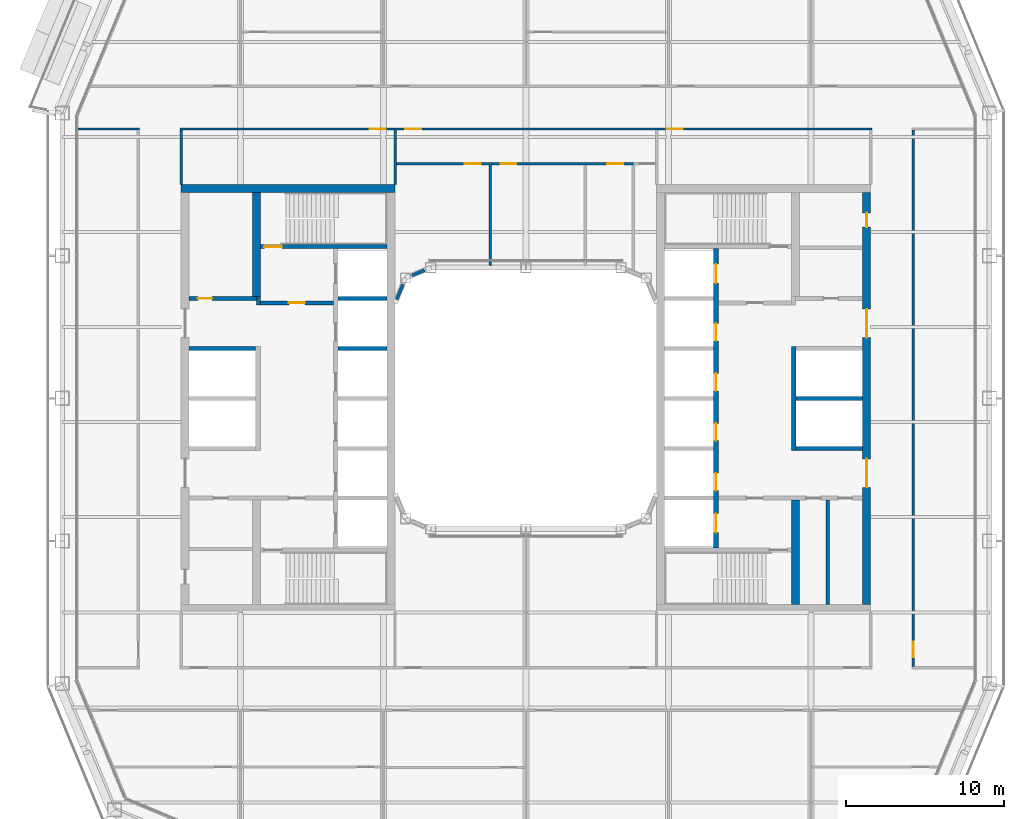
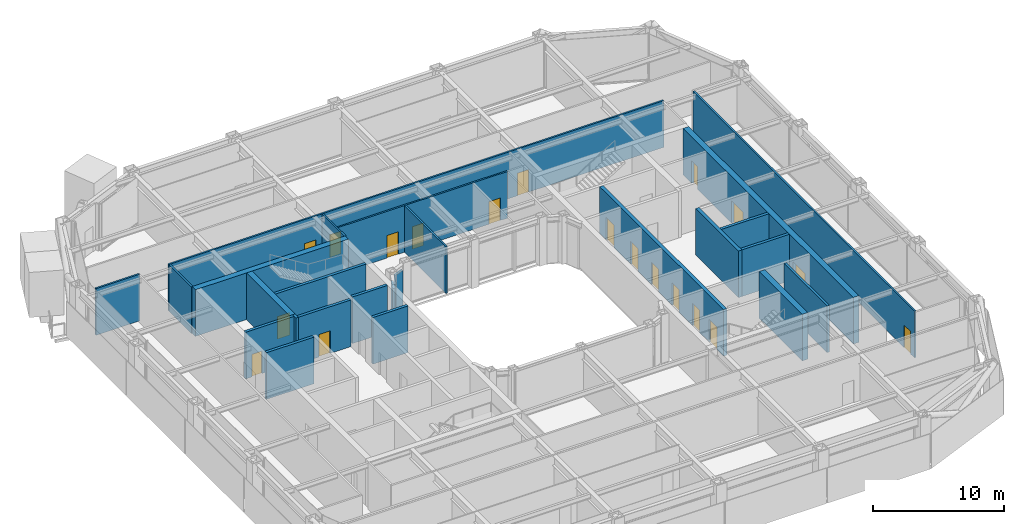
# One storey, part 13 of 23: 25 walls, 19 doors, 19 openings.
"""IFC4 building model written with IfcOpenShell, lengths in metres."""

from ifc_helpers import new_model, si_unit, direction, frame, frame_2d, origin, place, context, subcontext, project, spatial, rectangle, extrude, material, layer, layer_set, type_object, element, fill, save


model = new_model("IFC4")

# Units and contexts
model_context = context("Model", 3, precision=1e-05, world=origin(), true_north=direction((0.0, 1.0)))
body_context = subcontext(model_context, "Body", "Model", "MODEL_VIEW")
ifc_project = project(units=[si_unit("LENGTHUNIT", "METRE"), si_unit("AREAUNIT", "SQUARE_METRE"), si_unit("VOLUMEUNIT", "CUBIC_METRE"), si_unit("PLANEANGLEUNIT", "RADIAN"), si_unit("MASSUNIT", "GRAM", prefix="KILO")], contexts=[model_context])

# Site, building, storey
site_placement = place(None, origin())
site = spatial("IfcSite", under=ifc_project, at=site_placement, CompositionType="ELEMENT")
building_placement = place(site_placement, origin())
building = spatial("IfcBuilding", under=site, at=building_placement, Name="Siwar Civic Tower", CompositionType="ELEMENT")
storey_placement = place(building_placement, frame((0.0, 0.0, 154.199951171875)))
storey = spatial("IfcBuildingStorey", under=building, at=storey_placement, Name="L33", CompositionType="ELEMENT", Elevation=154.199951171875)

# Wall
ifc_material_1 = material(Name="Gypsum board on steel studs", Category="steel")
ifc_layer_1 = layer(ifc_material_1, 0.199951171875)
ifc_layer_set_1 = layer_set([ifc_layer_1], Name="Gypsum board on steel studs")
wall_type_1 = type_object("IfcWallType", Name="CORE-PARTITION-200", PredefinedType="PARTITIONING", material=ifc_layer_set_1)
wall_1_placement = place(storey_placement, frame((19.050048828125, -13.0, 0.0), z_axis=(0.0, 0.0, 1.0), x_axis=(0.0, 1.0, 0.0)))
element("IfcWall", 1, at=wall_1_placement, inside=storey, type_object=wall_type_1, Name="Core partition E", PredefinedType="PARTITIONING", context=body_context, shape_type="SweptSolid", body=[
    extrude(rectangle(XDim=6.574951171875, YDim=0.199951171875, at=frame_2d((3.28759765625, 0.0))), origin(), (0.0, 0.0, 1.0), 4.35009765625),
])

# Wall, opening, door
ifc_material_2 = material(Name="Concrete C60/75", Category="concrete")
ifc_layer_2 = layer(ifc_material_2, 0.25)
ifc_layer_set_2 = layer_set([ifc_layer_2], Name="Concrete C60/75")
wall_type_2 = type_object("IfcWallType", Name="CORE-WALL-RC250", PredefinedType="SHEAR", material=ifc_layer_set_2)
wall_2_placement = place(storey_placement, frame((-12.14990234375, 6.02490234375, 0.0), z_axis=(0.0, 0.0, 1.0), x_axis=(-1.0, 0.0, 0.0)))
wall_2 = element("IfcWall", 2, at=wall_2_placement, inside=storey, type_object=wall_type_2, Name="Core wall W", PredefinedType="SHEAR", context=body_context, shape_type="SweptSolid", body=[
    extrude(rectangle(XDim=4.60009765625, YDim=0.25, at=frame_2d((2.300048828125, 0.0))), origin(), (0.0, 0.0, 1.0), 4.35009765625),
])
opening_1_placement = place(wall_2_placement, frame((1.800048828125, 0.0, 0.0)))
opening_1 = element("IfcOpeningElement", 3, at=opening_1_placement, cuts=wall_2, Name="Opening L33-CW01", PredefinedType="OPENING", context=body_context, shape_type="SweptSolid", body=[
    extrude(rectangle(XDim=1.0, YDim=2.10009765625, at=frame_2d((0.5, 1.050048828125))), frame((0.0, 0.135009765625, 0.0), z_axis=(0.0, -1.0, 0.0), x_axis=(1.0, 0.0, 0.0)), (0.0, 0.0, 1.0), 0.27001953125),
])
ifc_material_3 = material(Name="Steel door leaf", Category="steel")
door_type_1 = type_object("IfcDoorType", Name="CORE-DOOR-FD30S", OperationType="SINGLE_SWING_LEFT", PredefinedType="DOOR", material=ifc_material_3)
door_1_placement = place(opening_1_placement, origin())
door_1 = element("IfcDoor", 4, at=door_1_placement, inside=storey, type_object=door_type_1, Name="Firefighting lobby door L33-CW01", OperationType="SINGLE_SWING_LEFT", OverallHeight=2.10009765625, OverallWidth=1.0, PredefinedType="DOOR", context=body_context, shape_type="SweptSolid", body=[
    extrude(rectangle(XDim=1.0, YDim=2.10009765625, at=frame_2d((0.5, 1.050048828125))), frame((0.0, 0.02490234375, 0.0), z_axis=(0.0, -1.0, 0.0), x_axis=(1.0, 0.0, 0.0)), (0.0, 0.0, 1.0), 0.050048828125),
])
fill(opening_1, door_1)

# Wall
wall_3_placement = place(storey_placement, frame((-16.875, 5.89990234375, 0.0), z_axis=(0.0, 0.0, 1.0), x_axis=(0.0, 1.0, 0.0)))
element("IfcWall", 5, at=wall_3_placement, inside=storey, type_object=wall_type_2, Name="Core wall W", PredefinedType="SHEAR", context=body_context, shape_type="SweptSolid", body=[
    extrude(rectangle(XDim=0.525146484375, YDim=0.25, at=frame_2d((0.2626953125, 0.0))), origin(), (0.0, 0.0, 1.0), 4.35009765625),
])

# Wall, opening, door
wall_4_placement = place(storey_placement, frame((-17.0, 6.300048828125, 0.0), z_axis=(0.0, 0.0, 1.0), x_axis=(-1.0, 0.0, 0.0)))
wall_4 = element("IfcWall", 6, at=wall_4_placement, inside=storey, type_object=wall_type_2, Name="Core wall W", PredefinedType="SHEAR", context=body_context, shape_type="SweptSolid", body=[
    extrude(rectangle(XDim=4.25, YDim=0.25, at=frame_2d((2.125, 0.0))), origin(), (0.0, 0.0, 1.0), 4.35009765625),
])
opening_2_placement = place(wall_4_placement, frame((2.800048828125, 0.0, 0.0)))
opening_2 = element("IfcOpeningElement", 7, at=opening_2_placement, cuts=wall_4, Name="Opening L33-CW13", PredefinedType="OPENING", context=body_context, shape_type="SweptSolid", body=[
    extrude(rectangle(XDim=0.89990234375, YDim=2.10009765625, at=frame_2d((0.449951171875, 1.050048828125))), frame((0.0, 0.135009765625, 0.0), z_axis=(0.0, -1.0, 0.0), x_axis=(1.0, 0.0, 0.0)), (0.0, 0.0, 1.0), 0.27001953125),
])
ifc_material_4 = material(Name="Steel door leaf", Category="steel")
door_type_2 = type_object("IfcDoorType", Name="CORE-DOOR-ROOM", OperationType="SINGLE_SWING_LEFT", PredefinedType="DOOR", material=ifc_material_4)
door_2_placement = place(opening_2_placement, origin())
door_2 = element("IfcDoor", 8, at=door_2_placement, inside=storey, type_object=door_type_2, Name="Core room door L33-CW13", OperationType="SINGLE_SWING_RIGHT", OverallHeight=2.10009765625, OverallWidth=0.89990234375, PredefinedType="DOOR", context=body_context, shape_type="SweptSolid", body=[
    extrude(rectangle(XDim=0.89990234375, YDim=2.10009765625, at=frame_2d((0.449951171875, 1.050048828125))), frame((0.0, 0.02490234375, 0.0), z_axis=(0.0, -1.0, 0.0), x_axis=(1.0, 0.0, 0.0)), (0.0, 0.0, 1.0), 0.050048828125),
])
fill(opening_2, door_2)

# Walls
wall_5_placement = place(storey_placement, frame((-17.050048828125, 3.14990234375, 0.0), z_axis=(0.0, 0.0, 1.0), x_axis=(-1.0, 0.0, 0.0)))
element("IfcWall", 9, at=wall_5_placement, inside=storey, type_object=wall_type_2, Name="Core wall W", PredefinedType="SHEAR", context=body_context, shape_type="SweptSolid", body=[
    extrude(rectangle(XDim=4.199951171875, YDim=0.25, at=frame_2d((2.10009765625, 0.0))), origin(), (0.0, 0.0, 1.0), 4.35009765625),
])
for number, where, z_axis, x_axis, name in (
    (10, (-8.75, 3.14990234375, 0.0), (0.0, 0.0, 1.0), (-1.0, 0.0, 0.0), "Core wall W"),
    (11, (-8.75, 6.300048828125, 0.0), (0.0, 0.0, 1.0), (-1.0, 0.0, 0.0), "Core wall W"),
):
    element("IfcWall", number, at=place(storey_placement, frame(where, z_axis=z_axis, x_axis=x_axis)), inside=storey, type_object=wall_type_2, Name=name, PredefinedType="SHEAR", context=body_context, shape_type="SweptSolid", body=[
        extrude(rectangle(XDim=3.10009765625, YDim=0.25, at=frame_2d((1.550048828125, 0.0))), origin(), (0.0, 0.0, 1.0), 4.35009765625),
    ])

# Wall, opening, door
wall_6_placement = place(storey_placement, frame((-8.75, 9.574951171875, 0.0), z_axis=(0.0, 0.0, 1.0), x_axis=(-1.0, 0.0, 0.0)))
wall_6 = element("IfcWall", 12, at=wall_6_placement, inside=storey, type_object=wall_type_2, Name="Core wall W", PredefinedType="SHEAR", context=body_context, shape_type="SweptSolid", body=[
    extrude(rectangle(XDim=8.0, YDim=0.25, at=frame_2d((4.0, 0.0))), origin(), (0.0, 0.0, 1.0), 4.35009765625),
])
opening_3_placement = place(wall_6_placement, frame((6.64990234375, 0.0, 0.0)))
opening_3 = element("IfcOpeningElement", 13, at=opening_3_placement, cuts=wall_6, Name="Opening L33-CW03", PredefinedType="OPENING", context=body_context, shape_type="SweptSolid", body=[
    extrude(rectangle(XDim=1.10009765625, YDim=2.10009765625, at=frame_2d((0.550048828125, 1.050048828125))), frame((0.0, 0.135009765625, 0.0), z_axis=(0.0, -1.0, 0.0), x_axis=(1.0, 0.0, 0.0)), (0.0, 0.0, 1.0), 0.27001953125),
])
ifc_material_5 = material(Name="Steel door leaf", Category="steel")
door_type_3 = type_object("IfcDoorType", Name="CORE-DOOR-FD60S", OperationType="SINGLE_SWING_LEFT", PredefinedType="DOOR", material=ifc_material_5)
door_3_placement = place(opening_3_placement, origin())
door_3 = element("IfcDoor", 14, at=door_3_placement, inside=storey, type_object=door_type_3, Name="Stair door L33-CW03", OperationType="SINGLE_SWING_RIGHT", OverallHeight=2.10009765625, OverallWidth=1.10009765625, PredefinedType="DOOR", context=body_context, shape_type="SweptSolid", body=[
    extrude(rectangle(XDim=1.10009765625, YDim=2.10009765625, at=frame_2d((0.550048828125, 1.050048828125))), frame((0.0, 0.02490234375, 0.0), z_axis=(0.0, -1.0, 0.0), x_axis=(1.0, 0.0, 0.0)), (0.0, 0.0, 1.0), 0.050048828125),
])
fill(opening_3, door_3)

# Walls
for number, where, z_axis, x_axis, name in (
    (15, (17.050048828125, 0.0, 0.0), (0.0, 0.0, 1.0), (1.0, 0.0, 0.0), "Core wall E"),
    (16, (17.050048828125, -3.14990234375, 0.0), (0.0, 0.0, 1.0), (1.0, 0.0, 0.0), "Core wall E"),
):
    element("IfcWall", number, at=place(storey_placement, frame(where, z_axis=z_axis, x_axis=x_axis)), inside=storey, type_object=wall_type_2, Name=name, PredefinedType="SHEAR", context=body_context, shape_type="SweptSolid", body=[
        extrude(rectangle(XDim=4.199951171875, YDim=0.25, at=frame_2d((2.10009765625, 0.0))), origin(), (0.0, 0.0, 1.0), 4.35009765625),
    ])

# Wall, openings, doors
ifc_material_6 = material(Name="Concrete C60/75", Category="concrete")
ifc_layer_3 = layer(ifc_material_6, 0.300048828125)
ifc_layer_set_3 = layer_set([ifc_layer_3], Name="Concrete C60/75")
wall_type_3 = type_object("IfcWallType", Name="CORE-WALL-RC300", PredefinedType="SHEAR", material=ifc_layer_set_3)
wall_7_placement = place(storey_placement, frame((12.0, -9.449951171875, 0.0), z_axis=(0.0, 0.0, 1.0), x_axis=(0.0, 1.0, 0.0)))
wall_7 = element("IfcWall", 17, at=wall_7_placement, inside=storey, type_object=wall_type_3, Name="Core wall E", PredefinedType="SHEAR", context=body_context, shape_type="SweptSolid", body=[
    extrude(rectangle(XDim=18.89990234375, YDim=0.300048828125, at=frame_2d((9.449951171875, 0.0))), origin(), (0.0, 0.0, 1.0), 4.35009765625),
])
opening_4_placement = place(wall_7_placement, frame((3.625, 0.0, 0.0)))
opening_4 = element("IfcOpeningElement", 18, at=opening_4_placement, cuts=wall_7, Name="Opening L33-CE07", PredefinedType="OPENING", context=body_context, shape_type="SweptSolid", body=[
    extrude(rectangle(XDim=1.10009765625, YDim=2.10009765625, at=frame_2d((0.550048828125, 1.050048828125))), frame((0.0, 0.16015625, 0.0), z_axis=(0.0, -1.0, 0.0), x_axis=(1.0, 0.0, 0.0)), (0.0, 0.0, 1.0), 0.320068359375),
])
opening_5_placement = place(wall_7_placement, frame((6.77490234375, 0.0, 0.0)))
opening_5 = element("IfcOpeningElement", 19, at=opening_5_placement, cuts=wall_7, Name="Opening L33-CE08", PredefinedType="OPENING", context=body_context, shape_type="SweptSolid", body=[
    extrude(rectangle(XDim=1.10009765625, YDim=2.10009765625, at=frame_2d((0.550048828125, 1.050048828125))), frame((0.0, 0.16015625, 0.0), z_axis=(0.0, -1.0, 0.0), x_axis=(1.0, 0.0, 0.0)), (0.0, 0.0, 1.0), 0.320068359375),
])
opening_6_placement = place(wall_7_placement, frame((9.925048828125, 0.0, 0.0)))
opening_6 = element("IfcOpeningElement", 20, at=opening_6_placement, cuts=wall_7, Name="Opening L33-CE09", PredefinedType="OPENING", context=body_context, shape_type="SweptSolid", body=[
    extrude(rectangle(XDim=1.10009765625, YDim=2.10009765625, at=frame_2d((0.550048828125, 1.050048828125))), frame((0.0, 0.16015625, 0.0), z_axis=(0.0, -1.0, 0.0), x_axis=(1.0, 0.0, 0.0)), (0.0, 0.0, 1.0), 0.320068359375),
])
opening_7_placement = place(wall_7_placement, frame((13.074951171875, 0.0, 0.0)))
opening_7 = element("IfcOpeningElement", 21, at=opening_7_placement, cuts=wall_7, Name="Opening L33-CE10", PredefinedType="OPENING", context=body_context, shape_type="SweptSolid", body=[
    extrude(rectangle(XDim=1.10009765625, YDim=2.10009765625, at=frame_2d((0.550048828125, 1.050048828125))), frame((0.0, 0.16015625, 0.0), z_axis=(0.0, -1.0, 0.0), x_axis=(1.0, 0.0, 0.0)), (0.0, 0.0, 1.0), 0.320068359375),
])
opening_8_placement = place(wall_7_placement, frame((16.72509765625, 0.0, 0.0)))
opening_8 = element("IfcOpeningElement", 22, at=opening_8_placement, cuts=wall_7, Name="Opening L33-CE11", PredefinedType="OPENING", context=body_context, shape_type="SweptSolid", body=[
    extrude(rectangle(XDim=1.199951171875, YDim=2.10009765625, at=frame_2d((0.60009765625, 1.050048828125))), frame((0.0, 0.16015625, 0.0), z_axis=(0.0, -1.0, 0.0), x_axis=(1.0, 0.0, 0.0)), (0.0, 0.0, 1.0), 0.320068359375),
])
opening_9_placement = place(wall_7_placement, frame((0.97509765625, 0.0, 0.0)))
opening_9 = element("IfcOpeningElement", 23, at=opening_9_placement, cuts=wall_7, Name="Opening L33-CE12", PredefinedType="OPENING", context=body_context, shape_type="SweptSolid", body=[
    extrude(rectangle(XDim=1.199951171875, YDim=2.10009765625, at=frame_2d((0.60009765625, 1.050048828125))), frame((0.0, 0.16015625, 0.0), z_axis=(0.0, -1.0, 0.0), x_axis=(1.0, 0.0, 0.0)), (0.0, 0.0, 1.0), 0.320068359375),
])
ifc_material_7 = material(Name="Steel door leaf", Category="steel")
door_type_4 = type_object("IfcDoorType", Name="CORE-DOOR-LD", OperationType="DOUBLE_DOOR_SLIDING", PredefinedType="DOOR", material=ifc_material_7)
door_4_placement = place(opening_4_placement, origin())
door_4 = element("IfcDoor", 24, at=door_4_placement, inside=storey, type_object=door_type_4, Name="Landing door LR5 L33-CE07", OperationType="DOUBLE_DOOR_SLIDING", OverallHeight=2.10009765625, OverallWidth=1.10009765625, PredefinedType="DOOR", context=body_context, shape_type="SweptSolid", body=[
    extrude(rectangle(XDim=1.10009765625, YDim=2.10009765625, at=frame_2d((0.550048828125, 1.050048828125))), frame((0.0, 0.02490234375, 0.0), z_axis=(0.0, -1.0, 0.0), x_axis=(1.0, 0.0, 0.0)), (0.0, 0.0, 1.0), 0.050048828125),
])
fill(opening_4, door_4)
door_5_placement = place(opening_5_placement, origin())
door_5 = element("IfcDoor", 25, at=door_5_placement, inside=storey, type_object=door_type_4, Name="Landing door LR6 L33-CE08", OperationType="DOUBLE_DOOR_SLIDING", OverallHeight=2.10009765625, OverallWidth=1.10009765625, PredefinedType="DOOR", context=body_context, shape_type="SweptSolid", body=[
    extrude(rectangle(XDim=1.10009765625, YDim=2.10009765625, at=frame_2d((0.550048828125, 1.050048828125))), frame((0.0, 0.02490234375, 0.0), z_axis=(0.0, -1.0, 0.0), x_axis=(1.0, 0.0, 0.0)), (0.0, 0.0, 1.0), 0.050048828125),
])
fill(opening_5, door_5)
door_6_placement = place(opening_6_placement, origin())
door_6 = element("IfcDoor", 26, at=door_6_placement, inside=storey, type_object=door_type_4, Name="Landing door LR7 L33-CE09", OperationType="DOUBLE_DOOR_SLIDING", OverallHeight=2.10009765625, OverallWidth=1.10009765625, PredefinedType="DOOR", context=body_context, shape_type="SweptSolid", body=[
    extrude(rectangle(XDim=1.10009765625, YDim=2.10009765625, at=frame_2d((0.550048828125, 1.050048828125))), frame((0.0, 0.02490234375, 0.0), z_axis=(0.0, -1.0, 0.0), x_axis=(1.0, 0.0, 0.0)), (0.0, 0.0, 1.0), 0.050048828125),
])
fill(opening_6, door_6)
door_7_placement = place(opening_7_placement, origin())
door_7 = element("IfcDoor", 27, at=door_7_placement, inside=storey, type_object=door_type_4, Name="Landing door LR8 L33-CE10", OperationType="DOUBLE_DOOR_SLIDING", OverallHeight=2.10009765625, OverallWidth=1.10009765625, PredefinedType="DOOR", context=body_context, shape_type="SweptSolid", body=[
    extrude(rectangle(XDim=1.10009765625, YDim=2.10009765625, at=frame_2d((0.550048828125, 1.050048828125))), frame((0.0, 0.02490234375, 0.0), z_axis=(0.0, -1.0, 0.0), x_axis=(1.0, 0.0, 0.0)), (0.0, 0.0, 1.0), 0.050048828125),
])
fill(opening_7, door_7)
ifc_material_8 = material(Name="Steel door leaf", Category="steel")
door_type_5 = type_object("IfcDoorType", Name="CORE-DOOR-LDW", OperationType="DOUBLE_DOOR_SLIDING", PredefinedType="DOOR", material=ifc_material_8)
door_8_placement = place(opening_8_placement, origin())
door_8 = element("IfcDoor", 28, at=door_8_placement, inside=storey, type_object=door_type_5, Name="Landing door FF2 L33-CE11", OperationType="DOUBLE_DOOR_SLIDING", OverallHeight=2.10009765625, OverallWidth=1.199951171875, PredefinedType="DOOR", context=body_context, shape_type="SweptSolid", body=[
    extrude(rectangle(XDim=1.199951171875, YDim=2.10009765625, at=frame_2d((0.60009765625, 1.050048828125))), frame((0.0, 0.02490234375, 0.0), z_axis=(0.0, -1.0, 0.0), x_axis=(1.0, 0.0, 0.0)), (0.0, 0.0, 1.0), 0.050048828125),
])
fill(opening_8, door_8)
door_9_placement = place(opening_9_placement, origin())
door_9 = element("IfcDoor", 29, at=door_9_placement, inside=storey, type_object=door_type_5, Name="Landing door SV2 L33-CE12", OperationType="DOUBLE_DOOR_SLIDING", OverallHeight=2.10009765625, OverallWidth=1.199951171875, PredefinedType="DOOR", context=body_context, shape_type="SweptSolid", body=[
    extrude(rectangle(XDim=1.199951171875, YDim=2.10009765625, at=frame_2d((0.60009765625, 1.050048828125))), frame((0.0, 0.02490234375, 0.0), z_axis=(0.0, -1.0, 0.0), x_axis=(1.0, 0.0, 0.0)), (0.0, 0.0, 1.0), 0.050048828125),
])
fill(opening_9, door_9)

# Walls
wall_8_placement = place(storey_placement, frame((16.89990234375, -3.27490234375, 0.0), z_axis=(0.0, 0.0, 1.0), x_axis=(0.0, 1.0, 0.0)))
element("IfcWall", 30, at=wall_8_placement, inside=storey, type_object=wall_type_3, Name="Core wall E", PredefinedType="SHEAR", context=body_context, shape_type="SweptSolid", body=[
    extrude(rectangle(XDim=6.5498046875, YDim=0.300048828125, at=frame_2d((3.27490234375, 0.0))), origin(), (0.0, 0.0, 1.0), 4.35009765625),
])
ifc_material_9 = material(Name="Concrete C60/75", Category="concrete")
ifc_layer_4 = layer(ifc_material_9, 0.5)
ifc_layer_set_4 = layer_set([ifc_layer_4], Name="Concrete C60/75")
wall_type_4 = type_object("IfcWallType", Name="CORE-WALL-RC500", PredefinedType="SHEAR", material=ifc_layer_set_4)
wall_9_placement = place(storey_placement, frame((-17.0, 6.425048828125, 0.0), z_axis=(0.0, 0.0, 1.0), x_axis=(0.0, 1.0, 0.0)))
element("IfcWall", 31, at=wall_9_placement, inside=storey, type_object=wall_type_4, Name="Core wall W", PredefinedType="SHEAR", context=body_context, shape_type="SweptSolid", body=[
    extrude(rectangle(XDim=6.574951171875, YDim=0.5, at=frame_2d((3.28759765625, 0.0))), origin(), (0.0, 0.0, 1.0), 4.35009765625),
])
wall_10_placement = place(storey_placement, frame((-8.25, 13.25, 0.0), z_axis=(0.0, 0.0, 1.0), x_axis=(-1.0, 0.0, 0.0)))
element("IfcWall", 32, at=wall_10_placement, inside=storey, type_object=wall_type_4, Name="Core wall W", PredefinedType="SHEAR", context=body_context, shape_type="SweptSolid", body=[
    extrude(rectangle(XDim=13.5, YDim=0.5, at=frame_2d((6.75, 0.0))), origin(), (0.0, 0.0, 1.0), 4.35009765625),
])

# Wall, openings, doors
wall_11_placement = place(storey_placement, frame((21.5, -13.0, 0.0), z_axis=(0.0, 0.0, 1.0), x_axis=(0.0, 1.0, 0.0)))
wall_11 = element("IfcWall", 33, at=wall_11_placement, inside=storey, type_object=wall_type_4, Name="Core wall E", PredefinedType="SHEAR", context=body_context, shape_type="SweptSolid", body=[
    extrude(rectangle(XDim=26.0, YDim=0.5, at=frame_2d((13.0, 0.0))), origin(), (0.0, 0.0, 1.0), 4.35009765625),
])
opening_10_placement = place(wall_11_placement, frame((16.824951171875, 0.0, 0.0)))
opening_10 = element("IfcOpeningElement", 34, at=opening_10_placement, cuts=wall_11, Name="Opening L33-CE05", PredefinedType="OPENING", context=body_context, shape_type="SweptSolid", body=[
    extrude(rectangle(XDim=1.800048828125, YDim=2.10009765625, at=frame_2d((0.89990234375, 1.050048828125))), frame((0.0, 0.260009765625, 0.0), z_axis=(0.0, -1.0, 0.0), x_axis=(1.0, 0.0, 0.0)), (0.0, 0.0, 1.0), 0.52001953125),
])
opening_11_placement = place(wall_11_placement, frame((7.375, 0.0, 0.0)))
opening_11 = element("IfcOpeningElement", 35, at=opening_11_placement, cuts=wall_11, Name="Opening L33-CE06", PredefinedType="OPENING", context=body_context, shape_type="SweptSolid", body=[
    extrude(rectangle(XDim=1.800048828125, YDim=2.10009765625, at=frame_2d((0.89990234375, 1.050048828125))), frame((0.0, 0.260009765625, 0.0), z_axis=(0.0, -1.0, 0.0), x_axis=(1.0, 0.0, 0.0)), (0.0, 0.0, 1.0), 0.52001953125),
])
opening_12_placement = place(wall_11_placement, frame((23.800048828125, 0.0, 0.0)))
opening_12 = element("IfcOpeningElement", 36, at=opening_12_placement, cuts=wall_11, Name="Opening L33-CE14", PredefinedType="OPENING", context=body_context, shape_type="SweptSolid", body=[
    extrude(rectangle(XDim=0.89990234375, YDim=2.10009765625, at=frame_2d((0.449951171875, 1.050048828125))), frame((0.0, 0.260009765625, 0.0), z_axis=(0.0, -1.0, 0.0), x_axis=(1.0, 0.0, 0.0)), (0.0, 0.0, 1.0), 0.52001953125),
])
ifc_material_10 = material(Name="Steel door leaf", Category="steel")
door_type_6 = type_object("IfcDoorType", Name="CORE-DOOR-PORT", OperationType="DOUBLE_DOOR_DOUBLE_SWING", PredefinedType="DOOR", material=ifc_material_10)
door_10_placement = place(opening_10_placement, origin())
door_10 = element("IfcDoor", 37, at=door_10_placement, inside=storey, type_object=door_type_6, Name="Core entrance door L33-CE05", OperationType="DOUBLE_DOOR_DOUBLE_SWING", OverallHeight=2.10009765625, OverallWidth=1.800048828125, PredefinedType="DOOR", context=body_context, shape_type="SweptSolid", body=[
    extrude(rectangle(XDim=1.800048828125, YDim=2.10009765625, at=frame_2d((0.89990234375, 1.050048828125))), frame((0.0, 0.02490234375, 0.0), z_axis=(0.0, -1.0, 0.0), x_axis=(1.0, 0.0, 0.0)), (0.0, 0.0, 1.0), 0.050048828125),
])
fill(opening_10, door_10)
door_11_placement = place(opening_11_placement, origin())
door_11 = element("IfcDoor", 38, at=door_11_placement, inside=storey, type_object=door_type_6, Name="Core entrance door L33-CE06", OperationType="DOUBLE_DOOR_DOUBLE_SWING", OverallHeight=2.10009765625, OverallWidth=1.800048828125, PredefinedType="DOOR", context=body_context, shape_type="SweptSolid", body=[
    extrude(rectangle(XDim=1.800048828125, YDim=2.10009765625, at=frame_2d((0.89990234375, 1.050048828125))), frame((0.0, 0.02490234375, 0.0), z_axis=(0.0, -1.0, 0.0), x_axis=(1.0, 0.0, 0.0)), (0.0, 0.0, 1.0), 0.050048828125),
])
fill(opening_11, door_11)
door_12_placement = place(opening_12_placement, origin())
door_12 = element("IfcDoor", 39, at=door_12_placement, inside=storey, type_object=door_type_2, Name="Core room door L33-CE14", OperationType="SINGLE_SWING_RIGHT", OverallHeight=2.10009765625, OverallWidth=0.89990234375, PredefinedType="DOOR", context=body_context, shape_type="SweptSolid", body=[
    extrude(rectangle(XDim=0.89990234375, YDim=2.10009765625, at=frame_2d((0.449951171875, 1.050048828125))), frame((0.0, 0.02490234375, 0.0), z_axis=(0.0, -1.0, 0.0), x_axis=(1.0, 0.0, 0.0)), (0.0, 0.0, 1.0), 0.050048828125),
])
fill(opening_12, door_12)

# Wall
wall_12_placement = place(storey_placement, frame((17.0, -13.0, 0.0), z_axis=(0.0, 0.0, 1.0), x_axis=(0.0, 1.0, 0.0)))
element("IfcWall", 40, at=wall_12_placement, inside=storey, type_object=wall_type_4, Name="Core wall E", PredefinedType="SHEAR", context=body_context, shape_type="SweptSolid", body=[
    extrude(rectangle(XDim=6.574951171875, YDim=0.5, at=frame_2d((3.28759765625, 0.0))), origin(), (0.0, 0.0, 1.0), 4.35009765625),
])

# Wall, openings, doors
ifc_material_11 = material(Name="Gypsum board on steel studs", Category="steel")
ifc_layer_5 = layer(ifc_material_11, 0.14990234375)
ifc_layer_set_5 = layer_set([ifc_layer_5], Name="Gypsum board on steel studs")
wall_type_5 = type_object("IfcWallType", Name="CORRIDOR PARTITION 150 EI 30", PredefinedType="PARTITIONING", material=ifc_layer_set_5)
wall_13_placement = place(storey_placement, frame((-8.175048828125, 14.800048828125, 0.0), z_axis=(0.0, 0.0, 1.0), x_axis=(1.0, 0.0, 0.0)))
wall_13 = element("IfcWall", 41, at=wall_13_placement, inside=storey, type_object=wall_type_5, Name="L33/wall/P08", PredefinedType="PARTITIONING", context=body_context, shape_type="SweptSolid", body=[
    extrude(rectangle(XDim=14.955078125, YDim=0.14990234375, at=frame_2d((7.4775390625, 0.0))), origin(), (0.0, 0.0, 1.0), 4.35009765625),
])
opening_13_placement = place(wall_13_placement, frame((4.324951171875, 0.0, 0.0)))
opening_13 = element("IfcOpeningElement", 42, at=opening_13_placement, cuts=wall_13, Name="Opening D3", PredefinedType="OPENING", context=body_context, shape_type="SweptSolid", body=[
    extrude(rectangle(XDim=1.0, YDim=2.10009765625, at=frame_2d((0.5, 1.050048828125))), frame((0.0, 0.0849609375, 0.0), z_axis=(0.0, -1.0, 0.0), x_axis=(1.0, 0.0, 0.0)), (0.0, 0.0, 1.0), 0.169921875),
])
opening_14_placement = place(wall_13_placement, frame((6.574951171875, 0.0, 0.0)))
opening_14 = element("IfcOpeningElement", 43, at=opening_14_placement, cuts=wall_13, Name="Opening D3", PredefinedType="OPENING", context=body_context, shape_type="SweptSolid", body=[
    extrude(rectangle(XDim=1.0, YDim=2.10009765625, at=frame_2d((0.5, 1.050048828125))), frame((0.0, 0.0849609375, 0.0), z_axis=(0.0, -1.0, 0.0), x_axis=(1.0, 0.0, 0.0)), (0.0, 0.0, 1.0), 0.169921875),
])
opening_15_placement = place(wall_13_placement, frame((13.324951171875, 0.0, 0.0)))
opening_15 = element("IfcOpeningElement", 44, at=opening_15_placement, cuts=wall_13, Name="Opening D3", PredefinedType="OPENING", context=body_context, shape_type="SweptSolid", body=[
    extrude(rectangle(XDim=1.0, YDim=2.10009765625, at=frame_2d((0.5, 1.050048828125))), frame((0.0, 0.0849609375, 0.0), z_axis=(0.0, -1.0, 0.0), x_axis=(1.0, 0.0, 0.0)), (0.0, 0.0, 1.0), 0.169921875),
])
ifc_material_12 = material(Name="Timber, painted", Category="wood")
door_type_7 = type_object("IfcDoorType", Name="DOOR 1000 X 2100 WC", OperationType="SINGLE_SWING_LEFT", PredefinedType="DOOR", material=ifc_material_12)
door_13_placement = place(opening_13_placement, origin())
door_13 = element("IfcDoor", 45, at=door_13_placement, inside=storey, type_object=door_type_7, Name="L33-D22", OperationType="SINGLE_SWING_RIGHT", OverallHeight=2.10009765625, OverallWidth=1.0, PredefinedType="DOOR", context=body_context, shape_type="SweptSolid", body=[
    extrude(rectangle(XDim=1.0, YDim=2.10009765625, at=frame_2d((0.5, 1.050048828125))), frame((0.0, 0.02490234375, 0.0), z_axis=(0.0, -1.0, 0.0), x_axis=(1.0, 0.0, 0.0)), (0.0, 0.0, 1.0), 0.050048828125),
])
fill(opening_13, door_13)
door_14_placement = place(opening_14_placement, origin())
door_14 = element("IfcDoor", 46, at=door_14_placement, inside=storey, type_object=door_type_7, Name="L33-D23", OperationType="SINGLE_SWING_LEFT", OverallHeight=2.10009765625, OverallWidth=1.0, PredefinedType="DOOR", context=body_context, shape_type="SweptSolid", body=[
    extrude(rectangle(XDim=1.0, YDim=2.10009765625, at=frame_2d((0.5, 1.050048828125))), frame((0.0, 0.02490234375, 0.0), z_axis=(0.0, -1.0, 0.0), x_axis=(1.0, 0.0, 0.0)), (0.0, 0.0, 1.0), 0.050048828125),
])
fill(opening_14, door_14)
door_15_placement = place(opening_15_placement, origin())
door_15 = element("IfcDoor", 47, at=door_15_placement, inside=storey, type_object=door_type_7, Name="L33-D24", OperationType="SINGLE_SWING_RIGHT", OverallHeight=2.10009765625, OverallWidth=1.0, PredefinedType="DOOR", context=body_context, shape_type="SweptSolid", body=[
    extrude(rectangle(XDim=1.0, YDim=2.10009765625, at=frame_2d((0.5, 1.050048828125))), frame((0.0, 0.02490234375, 0.0), z_axis=(0.0, -1.0, 0.0), x_axis=(1.0, 0.0, 0.0)), (0.0, 0.0, 1.0), 0.050048828125),
])
fill(opening_15, door_15)

# Wall
wall_14_placement = place(storey_placement, frame((-28.260009765625, 17.0, 0.0), z_axis=(0.0, 0.0, 1.0), x_axis=(1.0, 0.0, 0.0)))
element("IfcWall", 48, at=wall_14_placement, inside=storey, type_object=wall_type_5, Name="L33/wall/P10", PredefinedType="PARTITIONING", context=body_context, shape_type="SweptSolid", body=[
    extrude(rectangle(XDim=3.885009765625, YDim=0.14990234375, at=frame_2d((1.9423828125, 0.0))), origin(), (0.0, 0.0, 1.0), 4.35009765625),
])

# Wall, openings, doors
wall_15_placement = place(storey_placement, frame((-21.824951171875, 17.0, 0.0), z_axis=(0.0, 0.0, 1.0), x_axis=(1.0, 0.0, 0.0)))
wall_15 = element("IfcWall", 49, at=wall_15_placement, inside=storey, type_object=wall_type_5, Name="L33/wall/P11", PredefinedType="PARTITIONING", context=body_context, shape_type="SweptSolid", body=[
    extrude(rectangle(XDim=43.64990234375, YDim=0.14990234375, at=frame_2d((21.824951171875, 0.0))), origin(), (0.0, 0.0, 1.0), 4.35009765625),
])
opening_16_placement = place(wall_15_placement, frame((14.22509765625, 0.0, 0.0)))
opening_16 = element("IfcOpeningElement", 50, at=opening_16_placement, cuts=wall_15, Name="Opening D1", PredefinedType="OPENING", context=body_context, shape_type="SweptSolid", body=[
    extrude(rectangle(XDim=1.0, YDim=2.10009765625, at=frame_2d((0.5, 1.050048828125))), frame((0.0, 0.0849609375, 0.0), z_axis=(0.0, -1.0, 0.0), x_axis=(1.0, 0.0, 0.0)), (0.0, 0.0, 1.0), 0.169921875),
])
opening_17_placement = place(wall_15_placement, frame((11.97509765625, 0.0, 0.0)))
opening_17 = element("IfcOpeningElement", 51, at=opening_17_placement, cuts=wall_15, Name="Opening D1", PredefinedType="OPENING", context=body_context, shape_type="SweptSolid", body=[
    extrude(rectangle(XDim=1.0, YDim=2.10009765625, at=frame_2d((0.5, 1.050048828125))), frame((0.0, 0.0849609375, 0.0), z_axis=(0.0, -1.0, 0.0), x_axis=(1.0, 0.0, 0.0)), (0.0, 0.0, 1.0), 0.169921875),
])
opening_18_placement = place(wall_15_placement, frame((30.72509765625, 0.0, 0.0)))
opening_18 = element("IfcOpeningElement", 52, at=opening_18_placement, cuts=wall_15, Name="Opening D1", PredefinedType="OPENING", context=body_context, shape_type="SweptSolid", body=[
    extrude(rectangle(XDim=1.0, YDim=2.10009765625, at=frame_2d((0.5, 1.050048828125))), frame((0.0, 0.0849609375, 0.0), z_axis=(0.0, -1.0, 0.0), x_axis=(1.0, 0.0, 0.0)), (0.0, 0.0, 1.0), 0.169921875),
])
ifc_material_13 = material(Name="Timber, painted", Category="wood")
door_type_8 = type_object("IfcDoorType", Name="DOOR 1000 X 2100 FD30", OperationType="SINGLE_SWING_LEFT", PredefinedType="DOOR", material=ifc_material_13)
door_16_placement = place(opening_16_placement, origin())
door_16 = element("IfcDoor", 53, at=door_16_placement, inside=storey, type_object=door_type_8, Name="L33-D21", OperationType="SINGLE_SWING_LEFT", OverallHeight=2.10009765625, OverallWidth=1.0, PredefinedType="DOOR", context=body_context, shape_type="SweptSolid", body=[
    extrude(rectangle(XDim=1.0, YDim=2.10009765625, at=frame_2d((0.5, 1.050048828125))), frame((0.0, 0.02490234375, 0.0), z_axis=(0.0, -1.0, 0.0), x_axis=(1.0, 0.0, 0.0)), (0.0, 0.0, 1.0), 0.050048828125),
])
fill(opening_16, door_16)
door_17_placement = place(opening_17_placement, origin())
door_17 = element("IfcDoor", 54, at=door_17_placement, inside=storey, type_object=door_type_8, Name="L33-D28", OperationType="SINGLE_SWING_RIGHT", OverallHeight=2.10009765625, OverallWidth=1.0, PredefinedType="DOOR", context=body_context, shape_type="SweptSolid", body=[
    extrude(rectangle(XDim=1.0, YDim=2.10009765625, at=frame_2d((0.5, 1.050048828125))), frame((0.0, 0.02490234375, 0.0), z_axis=(0.0, -1.0, 0.0), x_axis=(1.0, 0.0, 0.0)), (0.0, 0.0, 1.0), 0.050048828125),
])
fill(opening_17, door_17)
door_18_placement = place(opening_18_placement, origin())
door_18 = element("IfcDoor", 55, at=door_18_placement, inside=storey, type_object=door_type_8, Name="L33-D29", OperationType="SINGLE_SWING_LEFT", OverallHeight=2.10009765625, OverallWidth=1.0, PredefinedType="DOOR", context=body_context, shape_type="SweptSolid", body=[
    extrude(rectangle(XDim=1.0, YDim=2.10009765625, at=frame_2d((0.5, 1.050048828125))), frame((0.0, 0.02490234375, 0.0), z_axis=(0.0, -1.0, 0.0), x_axis=(1.0, 0.0, 0.0)), (0.0, 0.0, 1.0), 0.050048828125),
])
fill(opening_18, door_18)

# Walls
for number, where, z_axis, x_axis, name in (
    (56, (-21.75, 13.5, 0.0), (0.0, 0.0, 1.0), (0.0, 1.0, 0.0), "L33/wall/P20"),
    (57, (-8.25, 13.5, 0.0), (0.0, 0.0, 1.0), (0.0, 1.0, 0.0), "L33/wall/P27"),
):
    element("IfcWall", number, at=place(storey_placement, frame(where, z_axis=z_axis, x_axis=x_axis)), inside=storey, type_object=wall_type_5, Name=name, PredefinedType="PARTITIONING", context=body_context, shape_type="SweptSolid", body=[
        extrude(rectangle(XDim=3.425048828125, YDim=0.14990234375, at=frame_2d((1.71240234375, 0.0))), origin(), (0.0, 0.0, 1.0), 4.35009765625),
    ])
wall_16_placement = place(storey_placement, frame((-2.25, 8.3701171875, 0.0), z_axis=(0.0, 0.0, 1.0), x_axis=(0.0, 1.0, 0.0)))
element("IfcWall", 58, at=wall_16_placement, inside=storey, type_object=wall_type_5, Name="L33/wall/P28", PredefinedType="PARTITIONING", context=body_context, shape_type="SweptSolid", body=[
    extrude(rectangle(XDim=6.35498046875, YDim=0.14990234375, at=frame_2d((3.177490234375, 0.0))), origin(), (0.0, 0.0, 1.0), 4.35009765625),
])

# Wall, opening, door
wall_17_placement = place(storey_placement, frame((24.449951171875, -16.925048828125, 0.0), z_axis=(0.0, 0.0, 1.0), x_axis=(0.0, 1.0, 0.0)))
wall_17 = element("IfcWall", 59, at=wall_17_placement, inside=storey, type_object=wall_type_5, Name="L33/wall/P43", PredefinedType="PARTITIONING", context=body_context, shape_type="SweptSolid", body=[
    extrude(rectangle(XDim=33.85009765625, YDim=0.14990234375, at=frame_2d((16.925048828125, 0.0))), origin(), (0.0, 0.0, 1.0), 4.35009765625),
])
opening_19_placement = place(wall_17_placement, frame((0.574951171875, 0.0, 0.0)))
opening_19 = element("IfcOpeningElement", 60, at=opening_19_placement, cuts=wall_17, Name="Opening D1", PredefinedType="OPENING", context=body_context, shape_type="SweptSolid", body=[
    extrude(rectangle(XDim=1.0, YDim=2.10009765625, at=frame_2d((0.5, 1.050048828125))), frame((0.0, 0.0849609375, 0.0), z_axis=(0.0, -1.0, 0.0), x_axis=(1.0, 0.0, 0.0)), (0.0, 0.0, 1.0), 0.169921875),
])
door_19_placement = place(opening_19_placement, origin())
door_19 = element("IfcDoor", 61, at=door_19_placement, inside=storey, type_object=door_type_8, Name="L33-D33", OperationType="SINGLE_SWING_LEFT", OverallHeight=2.10009765625, OverallWidth=1.0, PredefinedType="DOOR", context=body_context, shape_type="SweptSolid", body=[
    extrude(rectangle(XDim=1.0, YDim=2.10009765625, at=frame_2d((0.5, 1.050048828125))), frame((0.0, 0.02490234375, 0.0), z_axis=(0.0, -1.0, 0.0), x_axis=(1.0, 0.0, 0.0)), (0.0, 0.0, 1.0), 0.050048828125),
])
fill(opening_19, door_19)

# Walls
ifc_material_14 = material(Name="Aluminium clad insulated panel", Category="aluminium")
ifc_layer_6 = layer(ifc_material_14, 0.199951171875)
ifc_layer_set_6 = layer_set([ifc_layer_6], Name="Aluminium clad insulated panel")
wall_type_6 = type_object("IfcWallType", Name="ENV-WALL-WELL", PredefinedType="STANDARD", material=ifc_layer_set_6)
wall_18_placement = place(storey_placement, frame((-6.392333984375, 8.08740234375, 0.0), z_axis=(0.0, 0.0, 1.0), x_axis=(-0.923894108428, -0.382648241093, 0.0)))
element("IfcWall", 62, at=wall_18_placement, inside=storey, type_object=wall_type_6, Name="Light well corner wall NW1", PredefinedType="STANDARD", context=body_context, shape_type="SweptSolid", body=[
    extrude(rectangle(XDim=0.872802734375, YDim=0.199951171875, at=frame_2d((0.4365234375, 0.0))), origin(), (0.0, 0.0, 1.0), 3.825927734375),
])
wall_19_placement = place(storey_placement, frame((-7.75341796875, 7.19873046875, 0.0), z_axis=(0.0, 0.0, 1.0), x_axis=(-0.382694858887, -0.923874799408, 0.0)))
element("IfcWall", 63, at=wall_19_placement, inside=storey, type_object=wall_type_6, Name="Light well corner wall NW2", PredefinedType="STANDARD", context=body_context, shape_type="SweptSolid", body=[
    extrude(rectangle(XDim=1.047607421875, YDim=0.199951171875, at=frame_2d((0.52392578125, 0.0))), origin(), (0.0, 0.0, 1.0), 3.825927734375),
])

save(model, "model.ifc")
